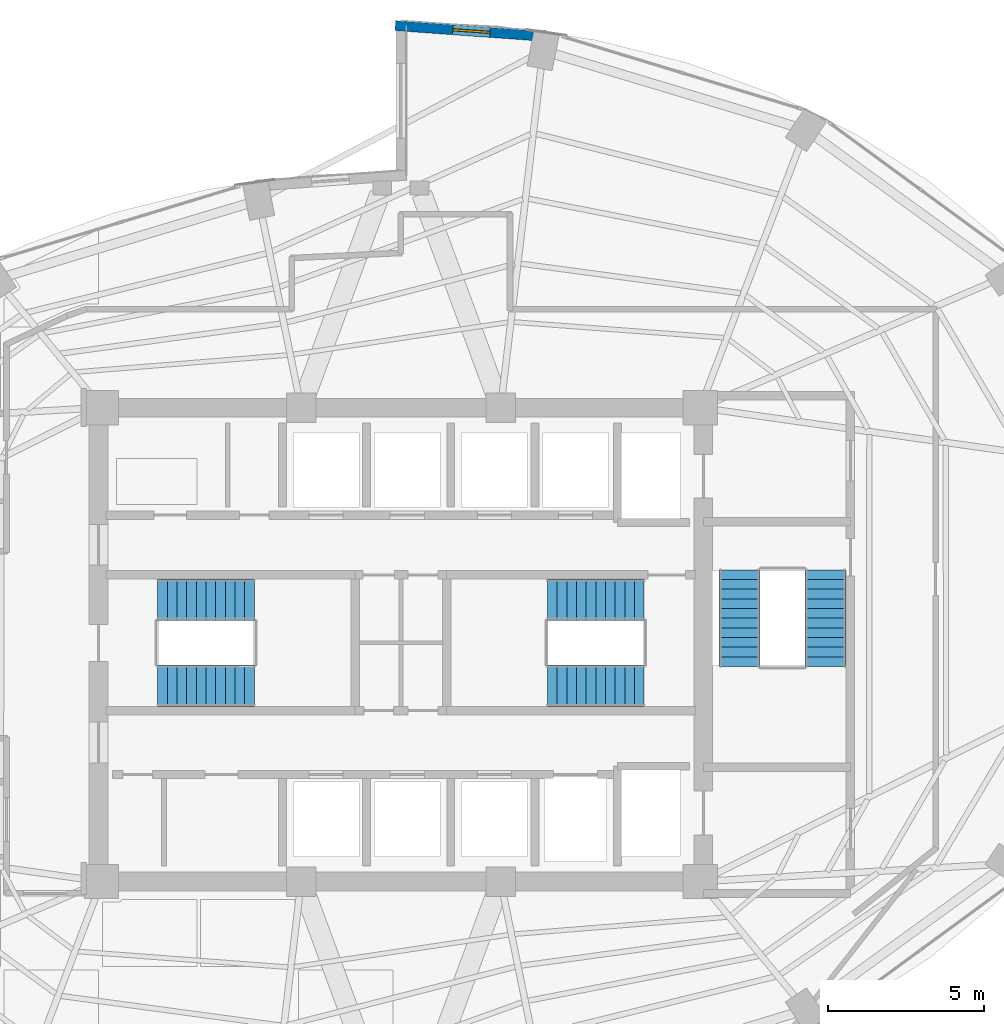
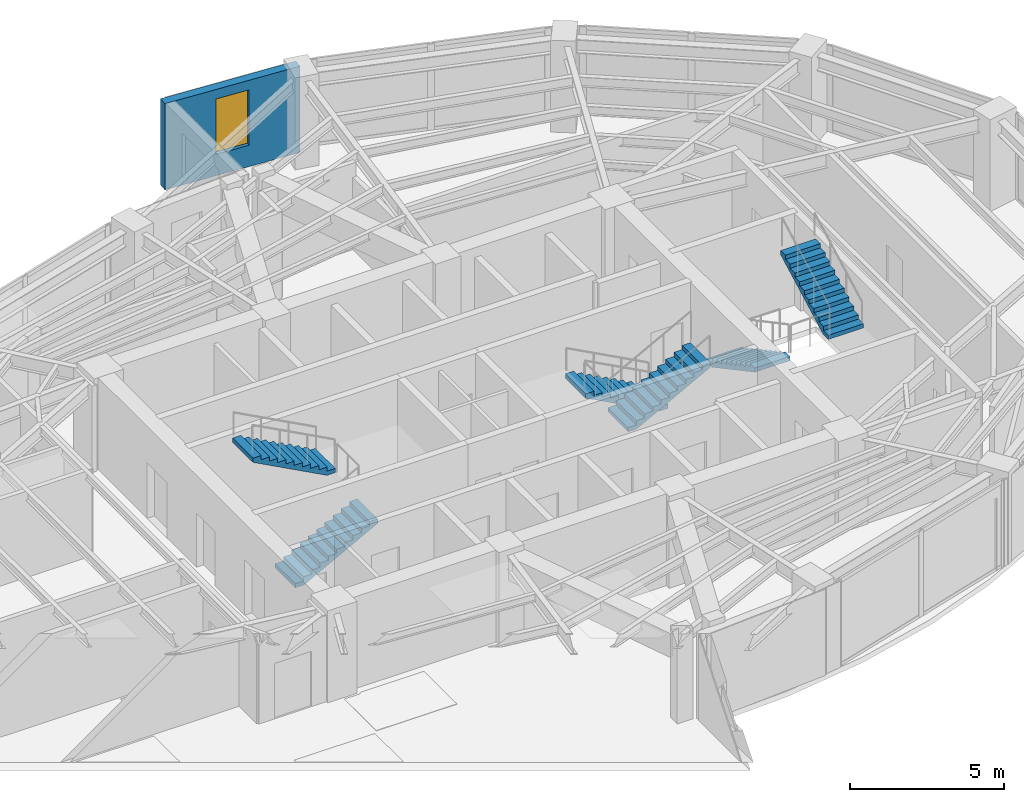
# One storey, part 18 of 20: 6 stair flights, 1 wall, 1 window, 1 opening, 3 elements without a shape of their own.
"""IFC4 building model written with IfcOpenShell, lengths in metres."""

from ifc_helpers import new_model, si_unit, direction, frame, frame_2d, origin, place, context, subcontext, project, spatial, polyline, rectangle, outline, extrude, material, layer, layer_set, type_object, element, fill, aggregate, save


model = new_model("IFC4")

# Units and contexts
model_context = context("Model", 3, precision=1e-05, world=origin(), true_north=direction((0.0, 1.0)))
body_context = subcontext(model_context, "Body", "Model", "MODEL_VIEW")
ifc_project = project(units=[si_unit("LENGTHUNIT", "METRE"), si_unit("AREAUNIT", "SQUARE_METRE"), si_unit("VOLUMEUNIT", "CUBIC_METRE"), si_unit("PLANEANGLEUNIT", "RADIAN"), si_unit("MASSUNIT", "GRAM", prefix="KILO")], contexts=[model_context])

# Site, building, storey
site_placement = place(None, origin())
site = spatial("IfcSite", under=ifc_project, at=site_placement, CompositionType="ELEMENT")
building_placement = place(site_placement, origin())
building = spatial("IfcBuilding", under=site, at=building_placement, Name="Lazwardi Medical Tower", CompositionType="ELEMENT")
storey_placement = place(building_placement, frame((0.0, 0.0, 182.06396484375)))
storey = spatial("IfcBuildingStorey", under=building, at=storey_placement, Name="L47", CompositionType="ELEMENT", Elevation=182.06396484375)

# Wall, opening, window
ifc_material_1 = material(Name="Precast concrete C45/55", Category="concrete")
ifc_layer = layer(ifc_material_1, 0.320068359375)
ifc_layer_set = layer_set([ifc_layer], Name="Precast concrete C45/55")
wall_type = type_object("IfcWallType", Name="WL-IWAN-320", PredefinedType="SOLIDWALL", material=ifc_layer_set)
wall_placement = place(storey_placement, frame((40.700927734375, 47.501220703125, 0.0), z_axis=(0.0, 0.0, 1.0), x_axis=(-0.997415460462, 0.071849838072, 0.0)))
wall = element("IfcWall", 1, at=wall_placement, inside=storey, type_object=wall_type, Name="L47 Iwan Portal Return Wall NE_ret", PredefinedType="SOLIDWALL", context=body_context, shape_type="SweptSolid", body=[
    extrude(rectangle(XDim=4.89306640625, YDim=0.320068359375, at=frame_2d((2.446533203125, 0.0))), origin(), (0.0, 0.0, 1.0), 3.427978515625),
])
opening_placement = place(wall_placement, frame((1.846435546875, 0.0, 0.85009765625)))
opening = element("IfcOpeningElement", 2, at=opening_placement, cuts=wall, Name="Opening WN-01", PredefinedType="OPENING", context=body_context, shape_type="SweptSolid", body=[
    extrude(rectangle(XDim=1.199951171875, YDim=2.199951171875, at=frame_2d((0.60009765625, 1.10009765625))), frame((0.0, 0.169921875, 0.0), z_axis=(0.0, -1.0, 0.0), x_axis=(1.0, 0.0, 0.0)), (0.0, 0.0, 1.0), 0.340087890625),
])
ifc_material_2 = material(Name="Low-e bronze solar control double glazing", Category="glass")
window_type = type_object("IfcWindowType", Name="WIN-IW-1200", PartitioningType="SINGLE_PANEL", PredefinedType="WINDOW", material=ifc_material_2)
window_placement = place(opening_placement, origin())
window = element("IfcWindow", 3, at=window_placement, inside=storey, type_object=window_type, Name="L47 Iwan Slot Window NE_ret", OverallHeight=2.199951171875, OverallWidth=1.199951171875, PartitioningType="SINGLE_PANEL", PredefinedType="WINDOW", context=body_context, shape_type="SweptSolid", body=[
    extrude(rectangle(XDim=1.199951171875, YDim=2.199951171875, at=frame_2d((0.60009765625, 1.10009765625))), frame((0.0, 0.030029296875, 0.0), z_axis=(0.0, -1.0, 0.0), x_axis=(1.0, 0.0, 0.0)), (0.0, 0.0, 1.0), 0.06005859375),
])
fill(opening, window)

# Stair, stair flights
ifc_material_3 = material(Name="Concrete C45/55", Category="concrete")
stair_type = type_object("IfcStairType", Name="STR-WRD", PredefinedType="HALF_TURN_STAIR", material=ifc_material_3)
stair_1_placement = place(storey_placement, origin())
stair_1 = element("IfcStair", 4, at=stair_1_placement, inside=storey, type_object=stair_type, Name="L47 Protected Exit Stair ST1", PredefinedType="HALF_TURN_STAIR")
stair_flight_type = type_object("IfcStairFlightType", Name="FLT-WRD", PredefinedType="STRAIGHT", material=ifc_material_3)
stair_flight_1_placement = place(storey_placement, frame((28.199951171875, 26.679931640625, 0.0), z_axis=(0.0, 0.0, 1.0), x_axis=(1.0, 0.0, 0.0)))
stair_flight_1 = element("IfcStairFlight", 5, at=stair_flight_1_placement, type_object=stair_flight_type, Name="ST1 flight 1", NumberOfRisers=11, NumberOfTreads=10, PredefinedType="STRAIGHT", RiserHeight=0.165818182, TreadLength=0.31, context=body_context, shape_type="SweptSolid", body=[
    extrude(outline(polyline([(0.0, 0.0), (0.0, 0.165771484375), (0.31005859375, 0.165771484375), (0.31005859375, 0.33154296875), (0.6201171875, 0.33154296875), (0.6201171875, 0.49755859375), (0.929931640625, 0.49755859375), (0.929931640625, 0.663330078125), (1.239990234375, 0.663330078125), (1.239990234375, 0.8291015625), (1.550048828125, 0.8291015625), (1.550048828125, 0.994873046875), (1.860107421875, 0.994873046875), (1.860107421875, 1.16064453125), (2.169921875, 1.16064453125), (2.169921875, 1.32666015625), (2.47998046875, 1.32666015625), (2.47998046875, 1.492431640625), (2.7900390625, 1.492431640625), (2.7900390625, 1.658203125), (3.10009765625, 1.658203125), (3.10009765625, 1.823974609375), (3.10009765625, 1.48828125), (0.31787109375, 0.0), (0.0, 0.0)])), frame((0.0, 0.66015625, 0.0), z_axis=(0.0, -1.0, 0.0), x_axis=(1.0, 0.0, 0.0)), (0.0, 0.0, 1.0), 1.320068359375),
])
stair_flight_2_placement = place(storey_placement, frame((31.300048828125, 29.43994140625, 1.823974609375), z_axis=(0.0, 0.0, 1.0), x_axis=(-1.0, 0.0, 0.0)))
stair_flight_2 = element("IfcStairFlight", 6, at=stair_flight_2_placement, type_object=stair_flight_type, Name="ST1 flight 2", NumberOfRisers=11, NumberOfTreads=10, PredefinedType="STRAIGHT", RiserHeight=0.165818182, TreadLength=0.31, context=body_context, shape_type="SweptSolid", body=[
    extrude(outline(polyline([(0.0, 0.0), (0.0, 0.165771484375), (0.31005859375, 0.165771484375), (0.31005859375, 0.33154296875), (0.6201171875, 0.33154296875), (0.6201171875, 0.49755859375), (0.929931640625, 0.49755859375), (0.929931640625, 0.663330078125), (1.239990234375, 0.663330078125), (1.239990234375, 0.8291015625), (1.550048828125, 0.8291015625), (1.550048828125, 0.994873046875), (1.860107421875, 0.994873046875), (1.860107421875, 1.16064453125), (2.169921875, 1.16064453125), (2.169921875, 1.32666015625), (2.47998046875, 1.32666015625), (2.47998046875, 1.492431640625), (2.7900390625, 1.492431640625), (2.7900390625, 1.658203125), (3.10009765625, 1.658203125), (3.10009765625, 1.823974609375), (3.10009765625, 1.48828125), (0.31787109375, 0.0), (0.0, 0.0)])), frame((0.0, 0.66015625, 0.0), z_axis=(0.0, -1.0, 0.0), x_axis=(1.0, 0.0, 0.0)), (0.0, 0.0, 1.0), 1.320068359375),
])
aggregate(stair_1, [stair_flight_1, stair_flight_2])

stair_2_placement = place(storey_placement, origin())
stair_2 = element("IfcStair", 7, at=stair_2_placement, inside=storey, type_object=stair_type, Name="L47 Protected Exit Stair ST2", PredefinedType="HALF_TURN_STAIR")
stair_flight_3_placement = place(storey_placement, frame((43.800048828125, 29.43994140625, 0.0), z_axis=(0.0, 0.0, 1.0), x_axis=(-1.0, 0.0, 0.0)))
stair_flight_3 = element("IfcStairFlight", 8, at=stair_flight_3_placement, type_object=stair_flight_type, Name="ST2 flight 1", NumberOfRisers=11, NumberOfTreads=10, PredefinedType="STRAIGHT", RiserHeight=0.165818182, TreadLength=0.31, context=body_context, shape_type="SweptSolid", body=[
    extrude(outline(polyline([(0.0, 0.0), (0.0, 0.165771484375), (0.31005859375, 0.165771484375), (0.31005859375, 0.33154296875), (0.6201171875, 0.33154296875), (0.6201171875, 0.49755859375), (0.929931640625, 0.49755859375), (0.929931640625, 0.663330078125), (1.239990234375, 0.663330078125), (1.239990234375, 0.8291015625), (1.550048828125, 0.8291015625), (1.550048828125, 0.994873046875), (1.860107421875, 0.994873046875), (1.860107421875, 1.16064453125), (2.169921875, 1.16064453125), (2.169921875, 1.32666015625), (2.47998046875, 1.32666015625), (2.47998046875, 1.492431640625), (2.7900390625, 1.492431640625), (2.7900390625, 1.658203125), (3.10009765625, 1.658203125), (3.10009765625, 1.823974609375), (3.10009765625, 1.48828125), (0.31787109375, 0.0), (0.0, 0.0)])), frame((0.0, 0.66015625, 0.0), z_axis=(0.0, -1.0, 0.0), x_axis=(1.0, 0.0, 0.0)), (0.0, 0.0, 1.0), 1.320068359375),
])
stair_flight_4_placement = place(storey_placement, frame((40.699951171875, 26.679931640625, 1.823974609375), z_axis=(0.0, 0.0, 1.0), x_axis=(1.0, 0.0, 0.0)))
stair_flight_4 = element("IfcStairFlight", 9, at=stair_flight_4_placement, type_object=stair_flight_type, Name="ST2 flight 2", NumberOfRisers=11, NumberOfTreads=10, PredefinedType="STRAIGHT", RiserHeight=0.165818182, TreadLength=0.31, context=body_context, shape_type="SweptSolid", body=[
    extrude(outline(polyline([(0.0, 0.0), (0.0, 0.165771484375), (0.31005859375, 0.165771484375), (0.31005859375, 0.33154296875), (0.6201171875, 0.33154296875), (0.6201171875, 0.49755859375), (0.929931640625, 0.49755859375), (0.929931640625, 0.663330078125), (1.239990234375, 0.663330078125), (1.239990234375, 0.8291015625), (1.550048828125, 0.8291015625), (1.550048828125, 0.994873046875), (1.860107421875, 0.994873046875), (1.860107421875, 1.16064453125), (2.169921875, 1.16064453125), (2.169921875, 1.32666015625), (2.47998046875, 1.32666015625), (2.47998046875, 1.492431640625), (2.7900390625, 1.492431640625), (2.7900390625, 1.658203125), (3.10009765625, 1.658203125), (3.10009765625, 1.823974609375), (3.10009765625, 1.48828125), (0.31787109375, 0.0), (0.0, 0.0)])), frame((0.0, 0.66015625, 0.0), z_axis=(0.0, -1.0, 0.0), x_axis=(1.0, 0.0, 0.0)), (0.0, 0.0, 1.0), 1.320068359375),
])
aggregate(stair_2, [stair_flight_3, stair_flight_4])

stair_3_placement = place(storey_placement, origin())
stair_3 = element("IfcStair", 10, at=stair_3_placement, inside=storey, type_object=stair_type, Name="L47 Protected Exit Stair ST3", PredefinedType="HALF_TURN_STAIR")
stair_flight_5_placement = place(storey_placement, frame((46.860107421875, 30.39990234375, 0.0), z_axis=(0.0, 0.0, 1.0), x_axis=(0.0, -1.0, 0.0)))
stair_flight_5 = element("IfcStairFlight", 11, at=stair_flight_5_placement, type_object=stair_flight_type, Name="ST3 flight 1", NumberOfRisers=11, NumberOfTreads=10, PredefinedType="STRAIGHT", RiserHeight=0.165818182, TreadLength=0.31, context=body_context, shape_type="SweptSolid", body=[
    extrude(outline(polyline([(0.0, 0.0), (0.0, 0.165771484375), (0.31005859375, 0.165771484375), (0.31005859375, 0.33154296875), (0.6201171875, 0.33154296875), (0.6201171875, 0.49755859375), (0.929931640625, 0.49755859375), (0.929931640625, 0.663330078125), (1.239990234375, 0.663330078125), (1.239990234375, 0.8291015625), (1.550048828125, 0.8291015625), (1.550048828125, 0.994873046875), (1.860107421875, 0.994873046875), (1.860107421875, 1.16064453125), (2.169921875, 1.16064453125), (2.169921875, 1.32666015625), (2.47998046875, 1.32666015625), (2.47998046875, 1.492431640625), (2.7900390625, 1.492431640625), (2.7900390625, 1.658203125), (3.10009765625, 1.658203125), (3.10009765625, 1.823974609375), (3.10009765625, 1.48828125), (0.31787109375, 0.0), (0.0, 0.0)])), frame((0.0, 0.66015625, 0.0), z_axis=(0.0, -1.0, 0.0), x_axis=(1.0, 0.0, 0.0)), (0.0, 0.0, 1.0), 1.320068359375),
])
stair_flight_6_placement = place(storey_placement, frame((49.6201171875, 27.300048828125, 1.823974609375), z_axis=(0.0, 0.0, 1.0), x_axis=(0.0, 1.0, 0.0)))
stair_flight_6 = element("IfcStairFlight", 12, at=stair_flight_6_placement, type_object=stair_flight_type, Name="ST3 flight 2", NumberOfRisers=11, NumberOfTreads=10, PredefinedType="STRAIGHT", RiserHeight=0.165818182, TreadLength=0.31, context=body_context, shape_type="SweptSolid", body=[
    extrude(outline(polyline([(0.0, 0.0), (0.0, 0.165771484375), (0.31005859375, 0.165771484375), (0.31005859375, 0.33154296875), (0.6201171875, 0.33154296875), (0.6201171875, 0.49755859375), (0.929931640625, 0.49755859375), (0.929931640625, 0.663330078125), (1.239990234375, 0.663330078125), (1.239990234375, 0.8291015625), (1.550048828125, 0.8291015625), (1.550048828125, 0.994873046875), (1.860107421875, 0.994873046875), (1.860107421875, 1.16064453125), (2.169921875, 1.16064453125), (2.169921875, 1.32666015625), (2.47998046875, 1.32666015625), (2.47998046875, 1.492431640625), (2.7900390625, 1.492431640625), (2.7900390625, 1.658203125), (3.10009765625, 1.658203125), (3.10009765625, 1.823974609375), (3.10009765625, 1.48828125), (0.31787109375, 0.0), (0.0, 0.0)])), frame((0.0, 0.66015625, 0.0), z_axis=(0.0, -1.0, 0.0), x_axis=(1.0, 0.0, 0.0)), (0.0, 0.0, 1.0), 1.320068359375),
])
aggregate(stair_3, [stair_flight_5, stair_flight_6])

save(model, "model.ifc")
